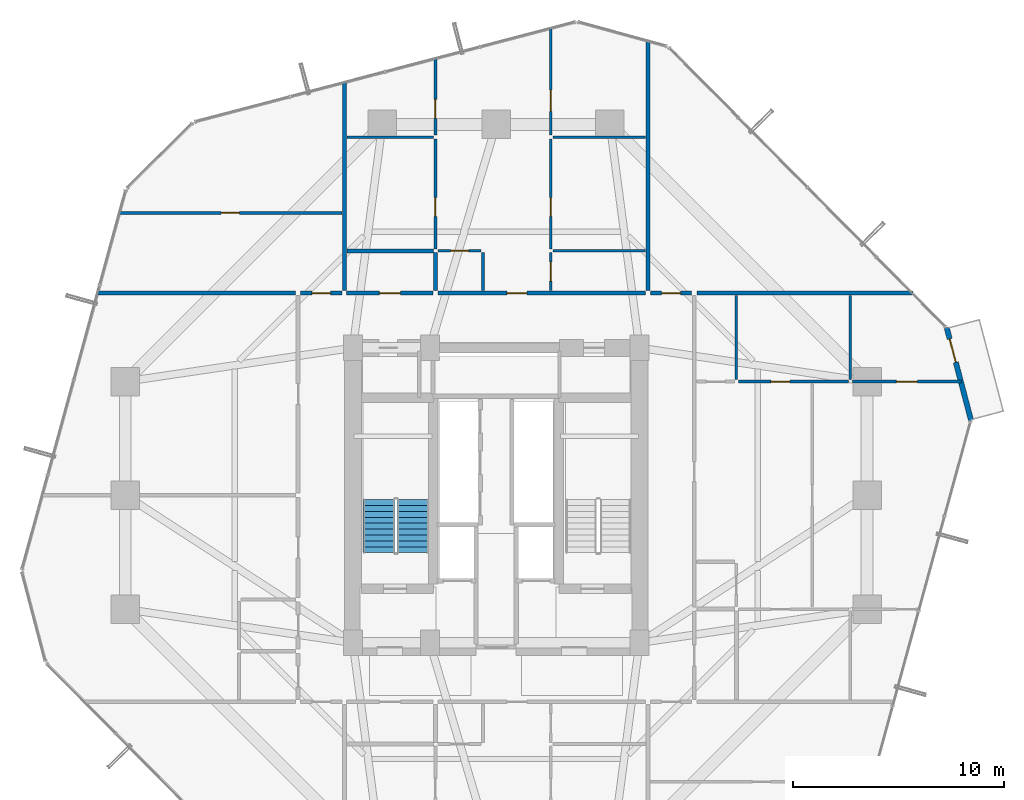
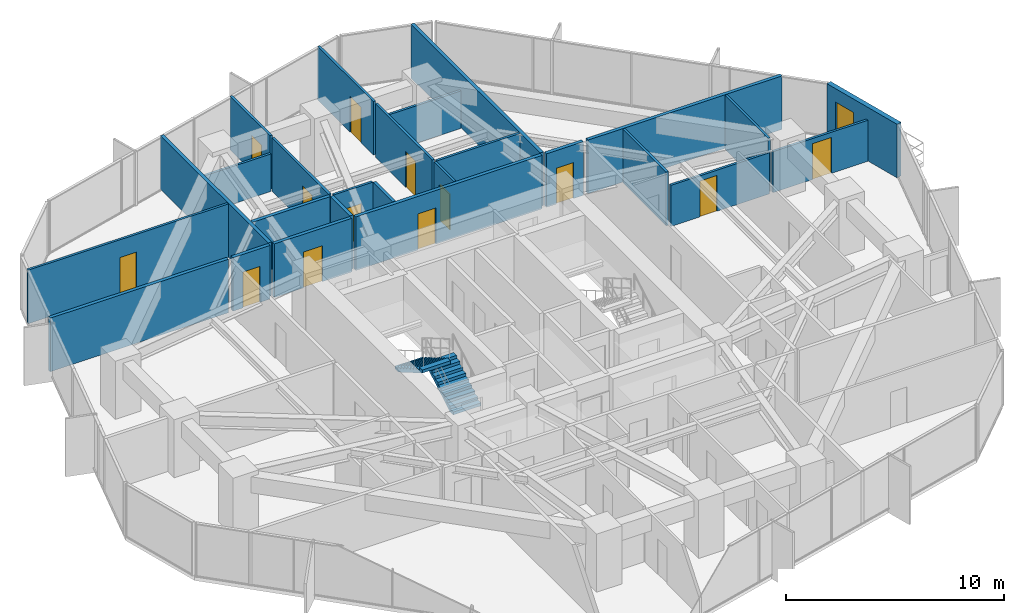
# One storey, part 36 of 39: 26 walls, 14 doors, 2 stair flights, 14 openings, 1 element without a shape of its own.
"""IFC4 building model written with IfcOpenShell, lengths in metres."""

from ifc_helpers import new_model, si_unit, direction, frame, frame_2d, origin, place, context, subcontext, project, spatial, polyline, rectangle, outline, extrude, source, transform, mapped, material, layer, layer_set, type_object, element, fill, aggregate, save


model = new_model("IFC4")

# Units and contexts
model_context = context("Model", 3, precision=1e-05, world=origin(), true_north=direction((0.0, 1.0)))
body_context = subcontext(model_context, "Body", "Model", "MODEL_VIEW")
ifc_project = project(units=[si_unit("LENGTHUNIT", "METRE"), si_unit("AREAUNIT", "SQUARE_METRE"), si_unit("VOLUMEUNIT", "CUBIC_METRE"), si_unit("PLANEANGLEUNIT", "RADIAN"), si_unit("MASSUNIT", "GRAM", prefix="KILO")], contexts=[model_context])

# Site, building, storey
site_placement = place(None, origin())
site = spatial("IfcSite", under=ifc_project, at=site_placement, CompositionType="ELEMENT")
building_placement = place(site_placement, origin())
building = spatial("IfcBuilding", under=site, at=building_placement, Name="Veraguas Prism Commons", CompositionType="ELEMENT")
storey_placement = place(building_placement, frame((0.0, 0.0, 73.85009765625)))
storey = spatial("IfcBuildingStorey", under=building, at=storey_placement, Name="L20", CompositionType="ELEMENT", Elevation=73.85009765625)

# Walls
ifc_material_1 = material(Name="Autoclaved aerated masonry block 10 MPa", Category="masonry")
ifc_layer_1 = layer(ifc_material_1, 0.179931640625, Name="Corridor and Inter-Tenancy Partition 180", Category="masonry")
ifc_layer_set_1 = layer_set([ifc_layer_1], Name="Autoclaved aerated masonry block 10 MPa")
wall_type_1 = type_object("IfcWallType", Name="Corridor and Inter-Tenancy Partition 180", PredefinedType="PARTITIONING", material=ifc_layer_set_1)
wall_1_placement = place(storey_placement, frame((16.800048828125, 33.719970703125, 0.0), z_axis=(0.0, 0.0, 1.0), x_axis=(0.0, 1.0, 0.0)))
element("IfcWall", 1, at=wall_1_placement, inside=storey, type_object=wall_type_1, Name="WL-L20-PT017", PredefinedType="PARTITIONING", context=body_context, shape_type="SweptSolid", body=[
    extrude(rectangle(XDim=9.91015625, YDim=0.179931640625, at=frame_2d((4.955078125, 0.0))), origin(), (0.0, 0.0, 1.0), 3.0),
])
wall_2_placement = place(storey_placement, frame((31.199951171875, 33.719970703125, 0.0), z_axis=(0.0, 0.0, 1.0), x_axis=(0.0, 1.0, 0.0)))
element("IfcWall", 2, at=wall_2_placement, inside=storey, type_object=wall_type_1, Name="WL-L20-PT018", PredefinedType="PARTITIONING", context=body_context, shape_type="SweptSolid", body=[
    extrude(rectangle(XDim=11.87646484375, YDim=0.179931640625, at=frame_2d((5.938232421875, 0.0))), origin(), (0.0, 0.0, 1.0), 3.0),
])

# Wall, opening, door
wall_3_placement = place(storey_placement, frame((16.909912109375, 33.60009765625, 0.0), z_axis=(0.0, 0.0, 1.0), x_axis=(1.0, 0.0, 0.0)))
wall_3 = element("IfcWall", 3, at=wall_3_placement, inside=storey, type_object=wall_type_1, Name="WL-L20-PT019", PredefinedType="PARTITIONING", context=body_context, shape_type="SweptSolid", body=[
    extrude(rectangle(XDim=4.10009765625, YDim=0.179931640625, at=frame_2d((2.050048828125, 0.0))), origin(), (0.0, 0.0, 1.0), 3.0),
])
opening_1_placement = place(wall_3_placement, frame((1.550048828125, 0.0, 0.0)))
opening_1 = element("IfcOpeningElement", 4, at=opening_1_placement, cuts=wall_3, Name="Opening DR-13", PredefinedType="OPENING", context=body_context, shape_type="SweptSolid", body=[
    extrude(rectangle(XDim=1.0, YDim=2.010009765625, at=frame_2d((0.5, 1.0048828125))), frame((0.0, 0.099853515625, 0.0), z_axis=(0.0, -1.0, 0.0), x_axis=(1.0, 0.0, 0.0)), (0.0, 0.0, 1.0), 0.199951171875),
])
ifc_material_2 = material(Name="Steel fire-rated door assembly", Category="steel")
door_type_1 = type_object("IfcDoorType", Name="Core Accessible WC and Clinic Fire Door 1000x2010", OperationType="NOTDEFINED", PredefinedType="DOOR", material=ifc_material_2)
shared_shape_1 = source(origin(), body_context, "Body", "SweptSolid", [
    extrude(rectangle(XDim=1.0, YDim=2.010009765625, at=frame_2d((0.5, 1.0048828125))), frame((0.0, 0.02490234375, 0.0), z_axis=(0.0, -1.0, 0.0), x_axis=(1.0, 0.0, 0.0)), (0.0, 0.0, 1.0), 0.050048828125),
])
door_1_placement = place(opening_1_placement, origin())
door_1 = element("IfcDoor", 5, at=door_1_placement, inside=storey, type_object=door_type_1, Name="Residents Study Alcove 20B Door", OperationType="SINGLE_SWING_RIGHT", OverallHeight=2.010009765625, OverallWidth=1.0, PredefinedType="DOOR", context=body_context, shape_type="MappedRepresentation", body=[
    mapped(shared_shape_1, transform((0.0, 0.0, 0.0), scale=1.0)),
])
fill(opening_1, door_1)

wall_4_placement = place(storey_placement, frame((21.22998046875, 33.60009765625, 0.0), z_axis=(0.0, 0.0, 1.0), x_axis=(1.0, 0.0, 0.0)))
wall_4 = element("IfcWall", 6, at=wall_4_placement, inside=storey, type_object=wall_type_1, Name="WL-L20-PT020", PredefinedType="PARTITIONING", context=body_context, shape_type="SweptSolid", body=[
    extrude(rectangle(XDim=9.860107421875, YDim=0.179931640625, at=frame_2d((4.93017578125, 0.0))), origin(), (0.0, 0.0, 1.0), 3.0),
])
opening_2_placement = place(wall_4_placement, frame((3.27587890625, 0.0, 0.0)))
opening_2 = element("IfcOpeningElement", 7, at=opening_2_placement, cuts=wall_4, Name="Opening DR-01", PredefinedType="OPENING", context=body_context, shape_type="SweptSolid", body=[
    extrude(rectangle(XDim=0.949951171875, YDim=2.02001953125, at=frame_2d((0.47509765625, 1.010009765625))), frame((0.0, 0.099853515625, 0.0), z_axis=(0.0, -1.0, 0.0), x_axis=(1.0, 0.0, 0.0)), (0.0, 0.0, 1.0), 0.199951171875),
])
ifc_material_3 = material(Name="Anodised aluminium EN AW-6063 T6", Category="aluminium")
door_type_2 = type_object("IfcDoorType", Name="Apartment Entrance Fire Door 950x2020", OperationType="NOTDEFINED", PredefinedType="DOOR", material=ifc_material_3)
shared_shape_2 = source(origin(), body_context, "Body", "SweptSolid", [
    extrude(rectangle(XDim=0.949951171875, YDim=2.02001953125, at=frame_2d((0.47509765625, 1.010009765625))), frame((0.0, 0.02490234375, 0.0), z_axis=(0.0, -1.0, 0.0), x_axis=(1.0, 0.0, 0.0)), (0.0, 0.0, 1.0), 0.050048828125),
])
door_2_placement = place(opening_2_placement, origin())
door_2 = element("IfcDoor", 8, at=door_2_placement, inside=storey, type_object=door_type_2, Name="Flat 20B Entrance Door", OperationType="SINGLE_SWING_LEFT", OverallHeight=2.02001953125, OverallWidth=0.949951171875, PredefinedType="DOOR", context=body_context, shape_type="MappedRepresentation", body=[
    mapped(shared_shape_2, transform((0.0, 0.0, 0.0), scale=1.0)),
])
fill(opening_2, door_2)

# Walls
wall_5_placement = place(storey_placement, frame((16.919921875, 35.60009765625, 0.0), z_axis=(0.0, 0.0, 1.0), x_axis=(1.0, 0.0, 0.0)))
element("IfcWall", 9, at=wall_5_placement, inside=storey, type_object=wall_type_1, Name="WL-L20-PT025", PredefinedType="PARTITIONING", context=body_context, shape_type="SweptSolid", body=[
    extrude(rectangle(XDim=4.10009765625, YDim=0.179931640625, at=frame_2d((2.050048828125, 0.0))), origin(), (0.0, 0.0, 1.0), 3.0),
])
wall_6_placement = place(storey_placement, frame((21.1201171875, 33.719970703125, 0.0), z_axis=(0.0, 0.0, 1.0), x_axis=(0.0, 1.0, 0.0)))
element("IfcWall", 10, at=wall_6_placement, inside=storey, type_object=wall_type_1, Name="WL-L20-PT026", PredefinedType="PARTITIONING", context=body_context, shape_type="SweptSolid", body=[
    extrude(rectangle(XDim=1.800048828125, YDim=0.179931640625, at=frame_2d((0.89990234375, 0.0))), origin(), (0.0, 0.0, 1.0), 3.0),
])
wall_7_placement = place(storey_placement, frame((14.47998046875, 33.60009765625, 0.0), z_axis=(0.0, 0.0, 1.0), x_axis=(-1.0, 0.0, 0.0)))
element("IfcWall", 11, at=wall_7_placement, inside=storey, type_object=wall_type_1, Name="WL-L20-PT034", PredefinedType="PARTITIONING", context=body_context, shape_type="SweptSolid", body=[
    extrude(rectangle(XDim=9.43310546875, YDim=0.179931640625, at=frame_2d((4.716552734375, 0.0))), origin(), (0.0, 0.0, 1.0), 3.0),
])
wall_8_placement = place(storey_placement, frame((33.52001953125, 33.60009765625, 0.0), z_axis=(0.0, 0.0, 1.0), x_axis=(1.0, 0.0, 0.0)))
element("IfcWall", 12, at=wall_8_placement, inside=storey, type_object=wall_type_1, Name="WL-L20-PT045", PredefinedType="PARTITIONING", context=body_context, shape_type="SweptSolid", body=[
    extrude(rectangle(XDim=10.263427734375, YDim=0.179931640625, at=frame_2d((5.1318359375, 0.0))), origin(), (0.0, 0.0, 1.0), 3.0),
])

# Wall, opening, door
wall_9_placement = place(storey_placement, frame((14.719970703125, 33.60009765625, 0.0), z_axis=(0.0, 0.0, 1.0), x_axis=(1.0, 0.0, 0.0)))
wall_9 = element("IfcWall", 13, at=wall_9_placement, inside=storey, type_object=wall_type_1, Name="WL-L20-PT064", PredefinedType="PARTITIONING", context=body_context, shape_type="SweptSolid", body=[
    extrude(rectangle(XDim=1.9599609375, YDim=0.179931640625, at=frame_2d((0.97998046875, 0.0))), origin(), (0.0, 0.0, 1.0), 3.0),
])
opening_3_placement = place(wall_9_placement, frame((0.530029296875, 0.0, 0.0)))
opening_3 = element("IfcOpeningElement", 14, at=opening_3_placement, cuts=wall_9, Name="Opening DR-14", PredefinedType="OPENING", context=body_context, shape_type="SweptSolid", body=[
    extrude(rectangle(XDim=0.89990234375, YDim=2.010009765625, at=frame_2d((0.449951171875, 1.0048828125))), frame((0.0, 0.099853515625, 0.0), z_axis=(0.0, -1.0, 0.0), x_axis=(1.0, 0.0, 0.0)), (0.0, 0.0, 1.0), 0.199951171875),
])
door_type_3 = type_object("IfcDoorType", Name="Core Service Room Fire Door 900x2010", OperationType="NOTDEFINED", PredefinedType="DOOR", material=ifc_material_2)
shared_shape_3 = source(origin(), body_context, "Body", "SweptSolid", [
    extrude(rectangle(XDim=0.89990234375, YDim=2.010009765625, at=frame_2d((0.449951171875, 1.0048828125))), frame((0.0, 0.02490234375, 0.0), z_axis=(0.0, -1.0, 0.0), x_axis=(1.0, 0.0, 0.0)), (0.0, 0.0, 1.0), 0.050048828125),
])
door_3_placement = place(opening_3_placement, origin())
door_3 = element("IfcDoor", 15, at=door_3_placement, inside=storey, type_object=door_type_3, Name="Community Co-op Kitchen Door", OperationType="SINGLE_SWING_RIGHT", OverallHeight=2.010009765625, OverallWidth=0.89990234375, PredefinedType="DOOR", context=body_context, shape_type="MappedRepresentation", body=[
    mapped(shared_shape_3, transform((0.0, 0.0, 0.0), scale=1.0)),
])
fill(opening_3, door_3)

wall_10_placement = place(storey_placement, frame((31.320068359375, 33.60009765625, 0.0), z_axis=(0.0, 0.0, 1.0), x_axis=(1.0, 0.0, 0.0)))
wall_10 = element("IfcWall", 16, at=wall_10_placement, inside=storey, type_object=wall_type_1, Name="WL-L20-PT066", PredefinedType="PARTITIONING", context=body_context, shape_type="SweptSolid", body=[
    extrude(rectangle(XDim=1.9599609375, YDim=0.179931640625, at=frame_2d((0.97998046875, 0.0))), origin(), (0.0, 0.0, 1.0), 3.0),
])
opening_4_placement = place(wall_10_placement, frame((0.530029296875, 0.0, 0.0)))
opening_4 = element("IfcOpeningElement", 17, at=opening_4_placement, cuts=wall_10, Name="Opening DR-14", PredefinedType="OPENING", context=body_context, shape_type="SweptSolid", body=[
    extrude(rectangle(XDim=0.89990234375, YDim=2.010009765625, at=frame_2d((0.449951171875, 1.0048828125))), frame((0.0, 0.099853515625, 0.0), z_axis=(0.0, -1.0, 0.0), x_axis=(1.0, 0.0, 0.0)), (0.0, 0.0, 1.0), 0.199951171875),
])
door_4_placement = place(opening_4_placement, origin())
door_4 = element("IfcDoor", 18, at=door_4_placement, inside=storey, type_object=door_type_3, Name="Residents Cycle and Pram Store NE Door", OperationType="SINGLE_SWING_RIGHT", OverallHeight=2.010009765625, OverallWidth=0.89990234375, PredefinedType="DOOR", context=body_context, shape_type="MappedRepresentation", body=[
    mapped(shared_shape_3, transform((0.0, 0.0, 0.0), scale=1.0)),
])
fill(opening_4, door_4)

ifc_material_4 = material(Name="Precast concrete C40/50", Category="concrete")
ifc_layer_2 = layer(ifc_material_4, 0.25, Name="External Loggia and Portal Wall 250", Category="concrete")
ifc_layer_set_2 = layer_set([ifc_layer_2], Name="Precast concrete C40/50")
wall_type_2 = type_object("IfcWallType", Name="External Loggia and Portal Wall 250", PredefinedType="SOLIDWALL", material=ifc_layer_set_2)
wall_11_placement = place(storey_placement, frame((46.5390625, 27.54541015625, 0.0), z_axis=(0.0, 0.0, 1.0), x_axis=(-0.253782183119, 0.967261393591, 0.0)))
wall_11 = element("IfcWall", 19, at=wall_11_placement, inside=storey, type_object=wall_type_2, Name="Corner Loggia Wall L20-C1", PredefinedType="SOLIDWALL", context=body_context, shape_type="SweptSolid", body=[
    extrude(rectangle(XDim=4.580078125, YDim=0.25, at=frame_2d((2.2900390625, 0.0))), origin(), (0.0, 0.0, 1.0), 3.0),
])
opening_5_placement = place(wall_11_placement, frame((2.860107421875, 0.0, 0.0)))
opening_5 = element("IfcOpeningElement", 20, at=opening_5_placement, cuts=wall_11, Name="Opening DR-10", PredefinedType="OPENING", context=body_context, shape_type="SweptSolid", body=[
    extrude(rectangle(XDim=1.14990234375, YDim=2.25, at=frame_2d((0.574951171875, 1.125))), frame((0.0, 0.135009765625, 0.0), z_axis=(0.0, -1.0, 0.0), x_axis=(1.0, 0.0, 0.0)), (0.0, 0.0, 1.0), 0.27001953125),
])
door_type_4 = type_object("IfcDoorType", Name="Glazed Loggia and Terrace Door 1150x2250", OperationType="NOTDEFINED", PredefinedType="DOOR", material=ifc_material_3)
shared_shape_4 = source(origin(), body_context, "Body", "SweptSolid", [
    extrude(rectangle(XDim=1.14990234375, YDim=2.25, at=frame_2d((0.574951171875, 1.125))), frame((0.0, 0.02490234375, 0.0), z_axis=(0.0, -1.0, 0.0), x_axis=(1.0, 0.0, 0.0)), (0.0, 0.0, 1.0), 0.050048828125),
])
door_5_placement = place(opening_5_placement, frame((1.14990234375, 0.0, 0.0), z_axis=(0.0, 0.0, 1.0), x_axis=(-1.0, 0.0, 0.0)))
door_5 = element("IfcDoor", 21, at=door_5_placement, inside=storey, type_object=door_type_4, Name="Recessed Loggia Door L20-C1", OperationType="SINGLE_SWING_RIGHT", OverallHeight=2.25, OverallWidth=1.14990234375, PredefinedType="DOOR", context=body_context, shape_type="MappedRepresentation", body=[
    mapped(shared_shape_4, transform((0.0, 0.0, 0.0), scale=1.0)),
])
fill(opening_5, door_5)

# Wall
ifc_material_5 = material(Name="Lightweight acoustic gypsum board")
ifc_layer_3 = layer(ifc_material_5, 0.125, Name="Internal Apartment Room Partition 125")
ifc_layer_set_3 = layer_set([ifc_layer_3], Name="Lightweight acoustic gypsum board")
wall_type_3 = type_object("IfcWallType", Name="Internal Apartment Room Partition 125", PredefinedType="PARTITIONING", material=ifc_layer_set_3)
wall_12_placement = place(storey_placement, frame((16.919921875, 41.0, 0.0), z_axis=(0.0, 0.0, 1.0), x_axis=(1.0, 0.0, 0.0)))
element("IfcWall", 22, at=wall_12_placement, inside=storey, type_object=wall_type_3, Name="WL-L20-PT021", PredefinedType="PARTITIONING", context=body_context, shape_type="SweptSolid", body=[
    extrude(rectangle(XDim=4.10009765625, YDim=0.125, at=frame_2d((2.050048828125, 0.0))), origin(), (0.0, 0.0, 1.0), 2.099853515625),
])

# Wall, opening, door
wall_13_placement = place(storey_placement, frame((21.1201171875, 41.10009765625, 0.0), z_axis=(0.0, 0.0, 1.0), x_axis=(0.0, 1.0, 0.0)))
wall_13 = element("IfcWall", 23, at=wall_13_placement, inside=storey, type_object=wall_type_3, Name="WL-L20-PT022", PredefinedType="PARTITIONING", context=body_context, shape_type="SweptSolid", body=[
    extrude(rectangle(XDim=3.663330078125, YDim=0.125, at=frame_2d((1.83154296875, 0.0))), origin(), (0.0, 0.0, 1.0), 3.0),
])
opening_6_placement = place(wall_13_placement, frame((0.790771484375, 0.0, 0.0)))
opening_6 = element("IfcOpeningElement", 24, at=opening_6_placement, cuts=wall_13, Name="Opening DR-02", PredefinedType="OPENING", context=body_context, shape_type="SweptSolid", body=[
    extrude(rectangle(XDim=0.89990234375, YDim=2.010009765625, at=frame_2d((0.449951171875, 1.0048828125))), frame((0.0, 0.072509765625, 0.0), z_axis=(0.0, -1.0, 0.0), x_axis=(1.0, 0.0, 0.0)), (0.0, 0.0, 1.0), 0.14501953125),
])
ifc_material_6 = material(Name="Timber solid core hardwood", Category="wood")
door_type_5 = type_object("IfcDoorType", Name="Internal Habitable Room Door 900x2010", OperationType="NOTDEFINED", PredefinedType="DOOR", material=ifc_material_6)
door_6_placement = place(opening_6_placement, origin())
door_6 = element("IfcDoor", 25, at=door_6_placement, inside=storey, type_object=door_type_5, Name="Flat 20B Bedroom 3 Door", OperationType="SINGLE_SWING_RIGHT", OverallHeight=2.010009765625, OverallWidth=0.89990234375, PredefinedType="DOOR", context=body_context, shape_type="MappedRepresentation", body=[
    mapped(shared_shape_3, transform((0.0, 0.0, 0.0), scale=1.0)),
])
fill(opening_6, door_6)

# Wall
wall_14_placement = place(storey_placement, frame((26.69189453125, 41.0, 0.0), z_axis=(0.0, 0.0, 1.0), x_axis=(1.0, 0.0, 0.0)))
element("IfcWall", 26, at=wall_14_placement, inside=storey, type_object=wall_type_3, Name="WL-L20-PT023", PredefinedType="PARTITIONING", context=body_context, shape_type="SweptSolid", body=[
    extrude(rectangle(XDim=4.38818359375, YDim=0.125, at=frame_2d((2.194091796875, 0.0))), origin(), (0.0, 0.0, 1.0), 2.099853515625),
])

# Wall, opening, door
wall_15_placement = place(storey_placement, frame((26.592041015625, 41.10009765625, 0.0), z_axis=(0.0, 0.0, 1.0), x_axis=(0.0, 1.0, 0.0)))
wall_15 = element("IfcWall", 27, at=wall_15_placement, inside=storey, type_object=wall_type_3, Name="WL-L20-PT024", PredefinedType="PARTITIONING", context=body_context, shape_type="SweptSolid", body=[
    extrude(rectangle(XDim=5.098876953125, YDim=0.125, at=frame_2d((2.54931640625, 0.0))), origin(), (0.0, 0.0, 1.0), 3.0),
])
opening_7_placement = place(wall_15_placement, frame((1.124755859375, 0.0, 0.0)))
opening_7 = element("IfcOpeningElement", 28, at=opening_7_placement, cuts=wall_15, Name="Opening DR-04", PredefinedType="OPENING", context=body_context, shape_type="SweptSolid", body=[
    extrude(rectangle(XDim=1.0, YDim=2.010009765625, at=frame_2d((0.5, 1.0048828125))), frame((0.0, 0.072509765625, 0.0), z_axis=(0.0, -1.0, 0.0), x_axis=(1.0, 0.0, 0.0)), (0.0, 0.0, 1.0), 0.14501953125),
])
door_type_6 = type_object("IfcDoorType", Name="Accessible WC and Clinic Exam Door 1000x2010", OperationType="NOTDEFINED", PredefinedType="DOOR", material=ifc_material_3)
door_7_placement = place(opening_7_placement, origin())
door_7 = element("IfcDoor", 29, at=door_7_placement, inside=storey, type_object=door_type_6, Name="Flat 20B Study Door", OperationType="SINGLE_SWING_LEFT", OverallHeight=2.010009765625, OverallWidth=1.0, PredefinedType="DOOR", context=body_context, shape_type="MappedRepresentation", body=[
    mapped(shared_shape_1, transform((0.0, 0.0, 0.0), scale=1.0)),
])
fill(opening_7, door_7)

wall_16_placement = place(storey_placement, frame((21.1201171875, 35.699951171875, 0.0), z_axis=(0.0, 0.0, 1.0), x_axis=(0.0, 1.0, 0.0)))
wall_16 = element("IfcWall", 30, at=wall_16_placement, inside=storey, type_object=wall_type_3, Name="WL-L20-PT027", PredefinedType="PARTITIONING", context=body_context, shape_type="SweptSolid", body=[
    extrude(rectangle(XDim=5.219970703125, YDim=0.125, at=frame_2d((2.60986328125, 0.0))), origin(), (0.0, 0.0, 1.0), 3.0),
])
opening_8_placement = place(wall_16_placement, frame((1.53271484375, 0.0, 0.0)))
opening_8 = element("IfcOpeningElement", 31, at=opening_8_placement, cuts=wall_16, Name="Opening DR-02", PredefinedType="OPENING", context=body_context, shape_type="SweptSolid", body=[
    extrude(rectangle(XDim=0.89990234375, YDim=2.010009765625, at=frame_2d((0.449951171875, 1.0048828125))), frame((0.0, 0.072509765625, 0.0), z_axis=(0.0, -1.0, 0.0), x_axis=(1.0, 0.0, 0.0)), (0.0, 0.0, 1.0), 0.14501953125),
])
door_8_placement = place(opening_8_placement, origin())
door_8 = element("IfcDoor", 32, at=door_8_placement, inside=storey, type_object=door_type_5, Name="Flat 20B Bedroom 2 Door", OperationType="SINGLE_SWING_RIGHT", OverallHeight=2.010009765625, OverallWidth=0.89990234375, PredefinedType="DOOR", context=body_context, shape_type="MappedRepresentation", body=[
    mapped(shared_shape_3, transform((0.0, 0.0, 0.0), scale=1.0)),
])
fill(opening_8, door_8)

wall_17_placement = place(storey_placement, frame((21.239990234375, 35.60009765625, 0.0), z_axis=(0.0, 0.0, 1.0), x_axis=(1.0, 0.0, 0.0)))
wall_17 = element("IfcWall", 33, at=wall_17_placement, inside=storey, type_object=wall_type_3, Name="WL-L20-PT029", PredefinedType="PARTITIONING", context=body_context, shape_type="SweptSolid", body=[
    extrude(rectangle(XDim=2.050048828125, YDim=0.125, at=frame_2d((1.02490234375, 0.0))), origin(), (0.0, 0.0, 1.0), 3.0),
])
opening_9_placement = place(wall_17_placement, frame((0.594970703125, 0.0, 0.0)))
opening_9 = element("IfcOpeningElement", 34, at=opening_9_placement, cuts=wall_17, Name="Opening DR-03", PredefinedType="OPENING", context=body_context, shape_type="SweptSolid", body=[
    extrude(rectangle(XDim=0.860107421875, YDim=2.010009765625, at=frame_2d((0.43017578125, 1.0048828125))), frame((0.0, 0.072509765625, 0.0), z_axis=(0.0, -1.0, 0.0), x_axis=(1.0, 0.0, 0.0)), (0.0, 0.0, 1.0), 0.14501953125),
])
ifc_material_7 = material(Name="Timber moisture-resistant leaf", Category="wood")
door_type_7 = type_object("IfcDoorType", Name="Internal Bathroom Door 860x2010", OperationType="NOTDEFINED", PredefinedType="DOOR", material=ifc_material_7)
shared_shape_5 = source(origin(), body_context, "Body", "SweptSolid", [
    extrude(rectangle(XDim=0.860107421875, YDim=2.010009765625, at=frame_2d((0.43017578125, 1.0048828125))), frame((0.0, 0.02490234375, 0.0), z_axis=(0.0, -1.0, 0.0), x_axis=(1.0, 0.0, 0.0)), (0.0, 0.0, 1.0), 0.050048828125),
])
door_9_placement = place(opening_9_placement, origin())
door_9 = element("IfcDoor", 35, at=door_9_placement, inside=storey, type_object=door_type_7, Name="Flat 20B Bathroom Door", OperationType="SINGLE_SWING_LEFT", OverallHeight=2.010009765625, OverallWidth=0.860107421875, PredefinedType="DOOR", context=body_context, shape_type="MappedRepresentation", body=[
    mapped(shared_shape_5, transform((0.0, 0.0, 0.0), scale=1.0)),
])
fill(opening_9, door_9)

wall_18_placement = place(storey_placement, frame((26.592041015625, 33.719970703125, 0.0), z_axis=(0.0, 0.0, 1.0), x_axis=(0.0, 1.0, 0.0)))
wall_18 = element("IfcWall", 36, at=wall_18_placement, inside=storey, type_object=wall_type_3, Name="WL-L20-PT030", PredefinedType="PARTITIONING", context=body_context, shape_type="SweptSolid", body=[
    extrude(rectangle(XDim=1.800048828125, YDim=0.125, at=frame_2d((0.89990234375, 0.0))), origin(), (0.0, 0.0, 1.0), 3.0),
])
opening_10_placement = place(wall_18_placement, frame((0.449951171875, 0.0, 0.0)))
opening_10 = element("IfcOpeningElement", 37, at=opening_10_placement, cuts=wall_18, Name="Opening DR-02", PredefinedType="OPENING", context=body_context, shape_type="SweptSolid", body=[
    extrude(rectangle(XDim=0.89990234375, YDim=2.010009765625, at=frame_2d((0.449951171875, 1.0048828125))), frame((0.0, 0.072509765625, 0.0), z_axis=(0.0, -1.0, 0.0), x_axis=(1.0, 0.0, 0.0)), (0.0, 0.0, 1.0), 0.14501953125),
])
door_10_placement = place(opening_10_placement, origin())
door_10 = element("IfcDoor", 38, at=door_10_placement, inside=storey, type_object=door_type_5, Name="Flat 20B Kitchen Door", OperationType="SINGLE_SWING_RIGHT", OverallHeight=2.010009765625, OverallWidth=0.89990234375, PredefinedType="DOOR", context=body_context, shape_type="MappedRepresentation", body=[
    mapped(shared_shape_3, transform((0.0, 0.0, 0.0), scale=1.0)),
])
fill(opening_10, door_10)

# Wall
wall_19_placement = place(storey_placement, frame((26.69189453125, 35.60009765625, 0.0), z_axis=(0.0, 0.0, 1.0), x_axis=(1.0, 0.0, 0.0)))
element("IfcWall", 39, at=wall_19_placement, inside=storey, type_object=wall_type_3, Name="WL-L20-PT031", PredefinedType="PARTITIONING", context=body_context, shape_type="SweptSolid", body=[
    extrude(rectangle(XDim=4.38818359375, YDim=0.125, at=frame_2d((2.194091796875, 0.0))), origin(), (0.0, 0.0, 1.0), 3.0),
])

# Wall, opening, door
wall_20_placement = place(storey_placement, frame((26.592041015625, 35.699951171875, 0.0), z_axis=(0.0, 0.0, 1.0), x_axis=(0.0, 1.0, 0.0)))
wall_20 = element("IfcWall", 40, at=wall_20_placement, inside=storey, type_object=wall_type_3, Name="WL-L20-PT032", PredefinedType="PARTITIONING", context=body_context, shape_type="SweptSolid", body=[
    extrude(rectangle(XDim=5.219970703125, YDim=0.125, at=frame_2d((2.60986328125, 0.0))), origin(), (0.0, 0.0, 1.0), 3.0),
])
opening_11_placement = place(wall_20_placement, frame((1.53271484375, 0.0, 0.0)))
opening_11 = element("IfcOpeningElement", 41, at=opening_11_placement, cuts=wall_20, Name="Opening DR-02", PredefinedType="OPENING", context=body_context, shape_type="SweptSolid", body=[
    extrude(rectangle(XDim=0.89990234375, YDim=2.010009765625, at=frame_2d((0.449951171875, 1.0048828125))), frame((0.0, 0.072509765625, 0.0), z_axis=(0.0, -1.0, 0.0), x_axis=(1.0, 0.0, 0.0)), (0.0, 0.0, 1.0), 0.14501953125),
])
door_11_placement = place(opening_11_placement, origin())
door_11 = element("IfcDoor", 42, at=door_11_placement, inside=storey, type_object=door_type_5, Name="Flat 20B Bedroom 1 Door", OperationType="SINGLE_SWING_LEFT", OverallHeight=2.010009765625, OverallWidth=0.89990234375, PredefinedType="DOOR", context=body_context, shape_type="MappedRepresentation", body=[
    mapped(shared_shape_3, transform((0.0, 0.0, 0.0), scale=1.0)),
])
fill(opening_11, door_11)

# Wall
wall_21_placement = place(storey_placement, frame((40.800048828125, 29.5, 0.0), z_axis=(0.0, 0.0, 1.0), x_axis=(0.0, 1.0, 0.0)))
element("IfcWall", 43, at=wall_21_placement, inside=storey, type_object=wall_type_3, Name="WL-L20-PT050", PredefinedType="PARTITIONING", context=body_context, shape_type="SweptSolid", body=[
    extrude(rectangle(XDim=3.97998046875, YDim=0.125, at=frame_2d((1.989990234375, 0.0))), origin(), (0.0, 0.0, 1.0), 3.0),
])

# Wall, opening, door
wall_22_placement = place(storey_placement, frame((40.89990234375, 29.39990234375, 0.0), z_axis=(0.0, 0.0, 1.0), x_axis=(1.0, 0.0, 0.0)))
wall_22 = element("IfcWall", 44, at=wall_22_placement, inside=storey, type_object=wall_type_3, Name="WL-L20-PT051", PredefinedType="PARTITIONING", context=body_context, shape_type="SweptSolid", body=[
    extrude(rectangle(XDim=5.18359375, YDim=0.125, at=frame_2d((2.591796875, 0.0))), origin(), (0.0, 0.0, 1.0), 2.298828125),
])
opening_12_placement = place(wall_22_placement, frame((2.091796875, 0.0, 0.0)))
opening_12 = element("IfcOpeningElement", 45, at=opening_12_placement, cuts=wall_22, Name="Opening DR-04", PredefinedType="OPENING", context=body_context, shape_type="SweptSolid", body=[
    extrude(rectangle(XDim=1.0, YDim=2.010009765625, at=frame_2d((0.5, 1.0048828125))), frame((0.0, 0.072509765625, 0.0), z_axis=(0.0, -1.0, 0.0), x_axis=(1.0, 0.0, 0.0)), (0.0, 0.0, 1.0), 0.14501953125),
])
door_12_placement = place(opening_12_placement, origin())
door_12 = element("IfcDoor", 46, at=door_12_placement, inside=storey, type_object=door_type_6, Name="Flat 20C Study Door", OperationType="SINGLE_SWING_LEFT", OverallHeight=2.010009765625, OverallWidth=1.0, PredefinedType="DOOR", context=body_context, shape_type="MappedRepresentation", body=[
    mapped(shared_shape_1, transform((0.0, 0.0, 0.0), scale=1.0)),
])
fill(opening_12, door_12)

# Wall
wall_23_placement = place(storey_placement, frame((35.39990234375, 29.5, 0.0), z_axis=(0.0, 0.0, 1.0), x_axis=(0.0, 1.0, 0.0)))
element("IfcWall", 47, at=wall_23_placement, inside=storey, type_object=wall_type_3, Name="WL-L20-PT059", PredefinedType="PARTITIONING", context=body_context, shape_type="SweptSolid", body=[
    extrude(rectangle(XDim=3.97998046875, YDim=0.125, at=frame_2d((1.989990234375, 0.0))), origin(), (0.0, 0.0, 1.0), 3.0),
])

# Wall, opening, door
wall_24_placement = place(storey_placement, frame((35.5, 29.39990234375, 0.0), z_axis=(0.0, 0.0, 1.0), x_axis=(1.0, 0.0, 0.0)))
wall_24 = element("IfcWall", 48, at=wall_24_placement, inside=storey, type_object=wall_type_3, Name="WL-L20-PT060", PredefinedType="PARTITIONING", context=body_context, shape_type="SweptSolid", body=[
    extrude(rectangle(XDim=5.219970703125, YDim=0.125, at=frame_2d((2.60986328125, 0.0))), origin(), (0.0, 0.0, 1.0), 2.298828125),
])
opening_13_placement = place(wall_24_placement, frame((1.53271484375, 0.0, 0.0)))
opening_13 = element("IfcOpeningElement", 49, at=opening_13_placement, cuts=wall_24, Name="Opening DR-02", PredefinedType="OPENING", context=body_context, shape_type="SweptSolid", body=[
    extrude(rectangle(XDim=0.89990234375, YDim=2.010009765625, at=frame_2d((0.449951171875, 1.0048828125))), frame((0.0, 0.072509765625, 0.0), z_axis=(0.0, -1.0, 0.0), x_axis=(1.0, 0.0, 0.0)), (0.0, 0.0, 1.0), 0.14501953125),
])
door_13_placement = place(opening_13_placement, origin())
door_13 = element("IfcDoor", 50, at=door_13_placement, inside=storey, type_object=door_type_5, Name="Flat 20C Bedroom 1 Door", OperationType="SINGLE_SWING_RIGHT", OverallHeight=2.010009765625, OverallWidth=0.89990234375, PredefinedType="DOOR", context=body_context, shape_type="MappedRepresentation", body=[
    mapped(shared_shape_3, transform((0.0, 0.0, 0.0), scale=1.0)),
])
fill(opening_13, door_13)

wall_25_placement = place(storey_placement, frame((6.08642578125, 37.39990234375, 0.0), z_axis=(0.0, 0.0, 1.0), x_axis=(1.0, 0.0, 0.0)))
wall_25 = element("IfcWall", 51, at=wall_25_placement, inside=storey, type_object=wall_type_3, Name="WL-L20-PT065", PredefinedType="PARTITIONING", context=body_context, shape_type="SweptSolid", body=[
    extrude(rectangle(XDim=10.593505859375, YDim=0.125, at=frame_2d((5.296875, 0.0))), origin(), (0.0, 0.0, 1.0), 3.0),
])
opening_14_placement = place(wall_25_placement, frame((4.86669921875, 0.0, 0.0)))
opening_14 = element("IfcOpeningElement", 52, at=opening_14_placement, cuts=wall_25, Name="Opening DR-03", PredefinedType="OPENING", context=body_context, shape_type="SweptSolid", body=[
    extrude(rectangle(XDim=0.860107421875, YDim=2.010009765625, at=frame_2d((0.43017578125, 1.0048828125))), frame((0.0, 0.072509765625, 0.0), z_axis=(0.0, -1.0, 0.0), x_axis=(1.0, 0.0, 0.0)), (0.0, 0.0, 1.0), 0.14501953125),
])
door_14_placement = place(opening_14_placement, origin())
door_14 = element("IfcDoor", 53, at=door_14_placement, inside=storey, type_object=door_type_7, Name="Corner Store NW Door", OperationType="SINGLE_SWING_LEFT", OverallHeight=2.010009765625, OverallWidth=0.860107421875, PredefinedType="DOOR", context=body_context, shape_type="MappedRepresentation", body=[
    mapped(shared_shape_5, transform((0.0, 0.0, 0.0), scale=1.0)),
])
fill(opening_14, door_14)

# Wall
ifc_layer_4 = layer(ifc_material_5, 0.14990234375, Name="Wet Room and Clinic Acoustic Partition 150")
ifc_layer_set_4 = layer_set([ifc_layer_4], Name="Lightweight acoustic gypsum board")
wall_type_4 = type_object("IfcWallType", Name="Wet Room and Clinic Acoustic Partition 150", PredefinedType="PARTITIONING", material=ifc_layer_set_4)
wall_26_placement = place(storey_placement, frame((23.3701171875, 33.719970703125, 0.0), z_axis=(0.0, 0.0, 1.0), x_axis=(0.0, 1.0, 0.0)))
element("IfcWall", 54, at=wall_26_placement, inside=storey, type_object=wall_type_4, Name="WL-L20-PT028", PredefinedType="PARTITIONING", context=body_context, shape_type="SweptSolid", body=[
    extrude(rectangle(XDim=1.800048828125, YDim=0.14990234375, at=frame_2d((0.89990234375, 0.0))), origin(), (0.0, 0.0, 1.0), 3.0),
])

# Stair, stair flights
ifc_material_8 = material(Name="Precast concrete C45/55", Category="concrete")
stair_type = type_object("IfcStairType", Name="Dogleg Core Stair 1480W 20R 05", PredefinedType="HALF_TURN_STAIR", material=ifc_material_8)
stair_placement = place(storey_placement, origin())
stair = element("IfcStair", 55, at=stair_placement, inside=storey, type_object=stair_type, Name="Protected Exit Stair ST-01 L20", PredefinedType="HALF_TURN_STAIR")
stair_flight_type = type_object("IfcStairFlightType", Name="Precast Stair Flight 1480W 10R 05", PredefinedType="STRAIGHT", material=ifc_material_8)
stair_flight_1_placement = place(storey_placement, frame((20.06005859375, 21.280029296875, 0.0), z_axis=(0.0, 0.0, 1.0), x_axis=(0.0, 1.0, 0.0)))
stair_flight_1 = element("IfcStairFlight", 56, at=stair_flight_1_placement, type_object=stair_flight_type, Name="ST-05 Flight 1", NumberOfRisers=10, NumberOfTreads=9, PredefinedType="STRAIGHT", RiserHeight=0.1625, TreadLength=0.28, context=body_context, shape_type="SweptSolid", body=[
    extrude(outline(polyline([(0.0, 0.0), (0.0, 0.16259765625), (0.280029296875, 0.16259765625), (0.280029296875, 0.324951171875), (0.56005859375, 0.324951171875), (0.56005859375, 0.487548828125), (0.840087890625, 0.487548828125), (0.840087890625, 0.64990234375), (1.1201171875, 0.64990234375), (1.1201171875, 0.8125), (1.39990234375, 0.8125), (1.39990234375, 0.97509765625), (1.679931640625, 0.97509765625), (1.679931640625, 1.137451171875), (1.9599609375, 1.137451171875), (1.9599609375, 1.300048828125), (2.239990234375, 1.300048828125), (2.239990234375, 1.46240234375), (2.52001953125, 1.46240234375), (2.52001953125, 1.625), (2.52001953125, 1.2890625), (0.298583984375, 0.0), (0.0, 0.0)])), frame((0.0, 0.739990234375, 0.0), z_axis=(0.0, -1.0, 0.0), x_axis=(1.0, 0.0, 0.0)), (0.0, 0.0, 1.0), 1.47998046875),
])
stair_flight_2_placement = place(storey_placement, frame((18.429931640625, 23.800048828125, 1.625), z_axis=(0.0, 0.0, 1.0), x_axis=(0.0, -1.0, 0.0)))
stair_flight_2 = element("IfcStairFlight", 57, at=stair_flight_2_placement, type_object=stair_flight_type, Name="ST-05 Flight 2", NumberOfRisers=10, NumberOfTreads=9, PredefinedType="STRAIGHT", RiserHeight=0.1625, TreadLength=0.28, context=body_context, shape_type="SweptSolid", body=[
    extrude(outline(polyline([(0.0, 0.0), (0.0, 0.16259765625), (0.280029296875, 0.16259765625), (0.280029296875, 0.324951171875), (0.56005859375, 0.324951171875), (0.56005859375, 0.487548828125), (0.840087890625, 0.487548828125), (0.840087890625, 0.64990234375), (1.1201171875, 0.64990234375), (1.1201171875, 0.8125), (1.39990234375, 0.8125), (1.39990234375, 0.97509765625), (1.679931640625, 0.97509765625), (1.679931640625, 1.137451171875), (1.9599609375, 1.137451171875), (1.9599609375, 1.300048828125), (2.239990234375, 1.300048828125), (2.239990234375, 1.46240234375), (2.52001953125, 1.46240234375), (2.52001953125, 1.625), (2.52001953125, 1.2890625), (0.298583984375, 0.0), (0.0, 0.0)])), frame((0.0, 0.739990234375, 0.0), z_axis=(0.0, -1.0, 0.0), x_axis=(1.0, 0.0, 0.0)), (0.0, 0.0, 1.0), 1.47998046875),
])
aggregate(stair, [stair_flight_1, stair_flight_2])

save(model, "model.ifc")
